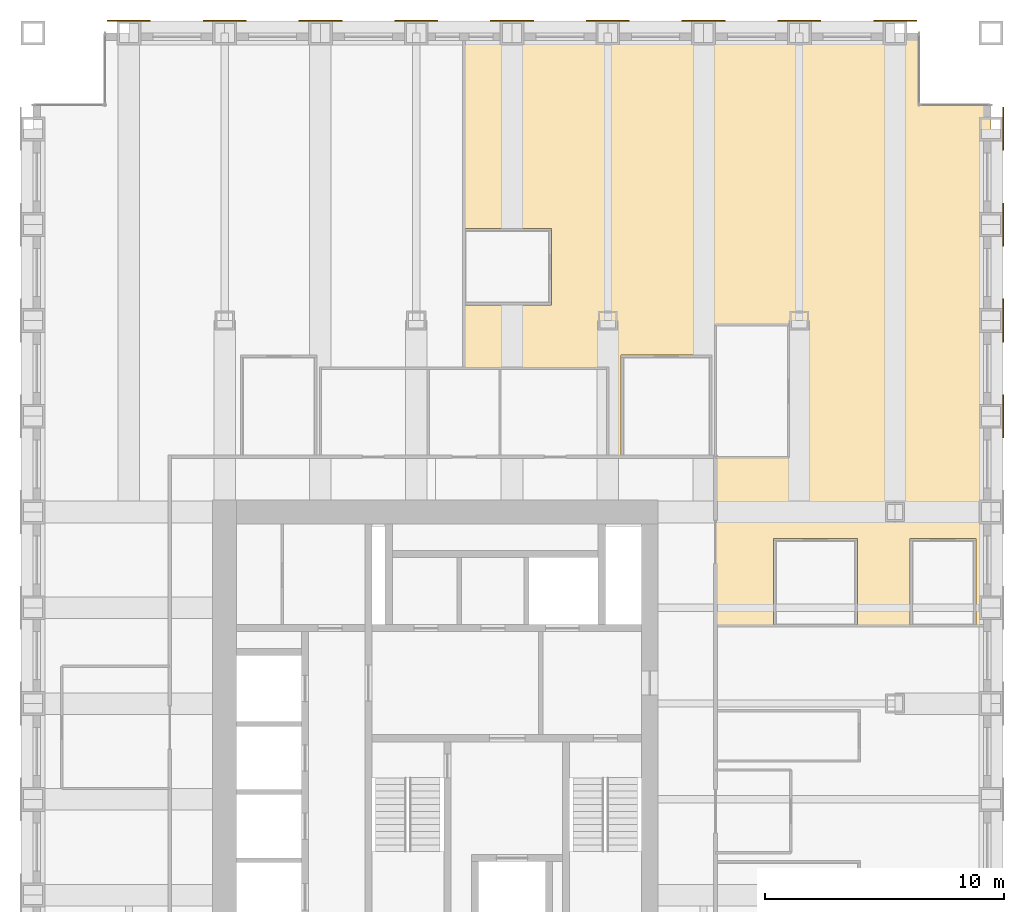
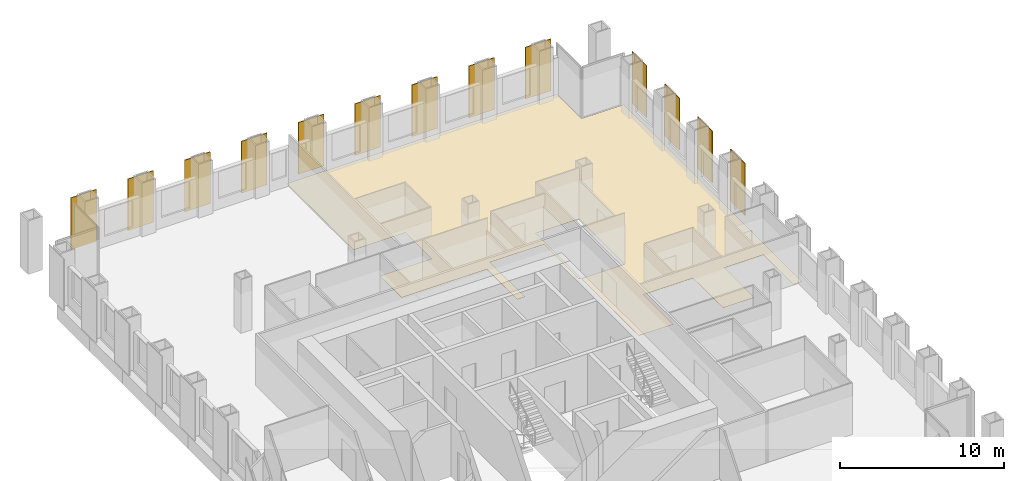
# One storey, part 14 of 14: 13 shading devices, 1 covering.
"""IFC4 building model written with IfcOpenShell, lengths in metres."""

from ifc_helpers import new_model, si_unit, direction, frame, origin, origin_2d, place, context, subcontext, project, spatial, polyline, rectangle, outline, extrude, material, layer, layer_set, type_object, element, save


model = new_model("IFC4")

# Units and contexts
model_context = context("Model", 3, precision=1e-05, world=origin(), true_north=direction((0.0, 1.0)))
body_context = subcontext(model_context, "Body", "Model", "MODEL_VIEW")
ifc_project = project(units=[si_unit("LENGTHUNIT", "METRE"), si_unit("AREAUNIT", "SQUARE_METRE"), si_unit("VOLUMEUNIT", "CUBIC_METRE"), si_unit("PLANEANGLEUNIT", "RADIAN"), si_unit("MASSUNIT", "GRAM", prefix="KILO")], contexts=[model_context])

# Site, building, storey
site_placement = place(None, origin())
site = spatial("IfcSite", under=ifc_project, at=site_placement, CompositionType="ELEMENT")
building_placement = place(site_placement, origin())
building = spatial("IfcBuilding", under=site, at=building_placement, Name="Rimbunsela Tower", CompositionType="ELEMENT")
storey_placement = place(building_placement, frame((0.0, 0.0, 230.199951171875)))
storey = spatial("IfcBuildingStorey", under=building, at=storey_placement, Name="L55", CompositionType="ELEMENT", Elevation=230.199951171875)

# Covering
ifc_material_1 = material(Name="Nylon carpet tile", Category="textile")
ifc_layer_1 = layer(ifc_material_1, 0.010009765625)
ifc_layer_set_1 = layer_set([ifc_layer_1], Name="Carpet tile 10")
covering_type = type_object("IfcCoveringType", Name="Carpet tile 10", PredefinedType="FLOORING", material=ifc_layer_set_1)
covering_placement = place(storey_placement, origin())
element("IfcCovering", 1, at=covering_placement, inside=storey, type_object=covering_type, Name="Floor finish Open office", PredefinedType="FLOORING", context=body_context, shape_type="SweptSolid", body=[
    extrude(outline(polyline([(38.5, 38.300048828125), (38.35009765625, 38.300048828125), (38.35009765625, 42.550048828125), (34.550048828125, 42.550048828125), (34.550048828125, 38.300048828125), (34.0, 38.300048828125), (34.0, 42.0), (28.0009765625, 42.0), (28.0009765625, 44.64990234375), (31.64990234375, 44.64990234375), (31.64990234375, 47.85009765625), (28.0009765625, 47.85009765625), (28.0009765625, 56.0), (38.5, 56.0), (47.0, 56.0), (47.0, 53.0), (50.0, 53.0), (50.0, 31.2509765625), (49.375, 31.2509765625), (49.375, 34.89990234375), (46.625, 34.89990234375), (46.625, 31.2509765625), (44.425048828125, 31.2509765625), (44.425048828125, 34.89990234375), (40.925048828125, 34.89990234375), (40.925048828125, 31.2509765625), (38.5, 31.2509765625), (38.5, 38.27587890625), (41.550048828125, 38.27587890625), (41.550048828125, 43.825927734375), (38.5, 43.825927734375), (38.5, 38.300048828125)])), origin(), (0.0, 0.0, 1.0), 0.010009765625),
])

# Shading devices
ifc_material_2 = material(Name="Perforated aluminium, 35 % open area", Category="aluminium")
ifc_layer_2 = layer(ifc_material_2, 0.050048828125)
ifc_layer_set_2 = layer_set([ifc_layer_2], Name="Solar screen panel 1800")
shading_device_type = type_object("IfcShadingDeviceType", Name="Solar screen panel 1800", PredefinedType="USERDEFINED", material=ifc_layer_set_2)
for number, where, z_axis, x_axis, name in (
    (2, (50.52490234375, 40.0, 0.0), (0.0, 0.0, 1.0), (0.0, 1.0, 0.0), "Solar screen E L55"),
    (3, (50.52490234375, 44.0, 0.0), (0.0, 0.0, 1.0), (0.0, 1.0, 0.0), "Solar screen E L55"),
    (4, (50.52490234375, 48.0, 0.0), (0.0, 0.0, 1.0), (0.0, 1.0, 0.0), "Solar screen E L55"),
    (5, (50.52490234375, 52.0, 0.0), (0.0, 0.0, 1.0), (0.0, 1.0, 0.0), "Solar screen E L55"),
    (6, (14.0, 56.52490234375, 0.0), (0.0, 0.0, 1.0), (1.0, 0.0, 0.0), "Solar screen N L55"),
    (7, (18.0, 56.52490234375, 0.0), (0.0, 0.0, 1.0), (1.0, 0.0, 0.0), "Solar screen N L55"),
    (8, (22.0, 56.52490234375, 0.0), (0.0, 0.0, 1.0), (1.0, 0.0, 0.0), "Solar screen N L55"),
    (9, (26.0, 56.52490234375, 0.0), (0.0, 0.0, 1.0), (1.0, 0.0, 0.0), "Solar screen N L55"),
    (10, (30.0, 56.52490234375, 0.0), (0.0, 0.0, 1.0), (1.0, 0.0, 0.0), "Solar screen N L55"),
    (11, (34.0, 56.52490234375, 0.0), (0.0, 0.0, 1.0), (1.0, 0.0, 0.0), "Solar screen N L55"),
    (12, (38.0, 56.52490234375, 0.0), (0.0, 0.0, 1.0), (1.0, 0.0, 0.0), "Solar screen N L55"),
    (13, (42.0, 56.52490234375, 0.0), (0.0, 0.0, 1.0), (1.0, 0.0, 0.0), "Solar screen N L55"),
    (14, (46.0, 56.52490234375, 0.0), (0.0, 0.0, 1.0), (1.0, 0.0, 0.0), "Solar screen N L55"),
):
    element("IfcShadingDevice", number, at=place(storey_placement, frame(where, z_axis=z_axis, x_axis=x_axis)), inside=storey, type_object=shading_device_type, Name=name, ObjectType="SCREEN", PredefinedType="USERDEFINED", context=body_context, shape_type="SweptSolid", body=[
        extrude(rectangle(XDim=1.800048828125, YDim=0.050048828125, at=origin_2d()), origin(), (0.0, 0.0, 1.0), 3.85009765625),
    ])

save(model, "model.ifc")
